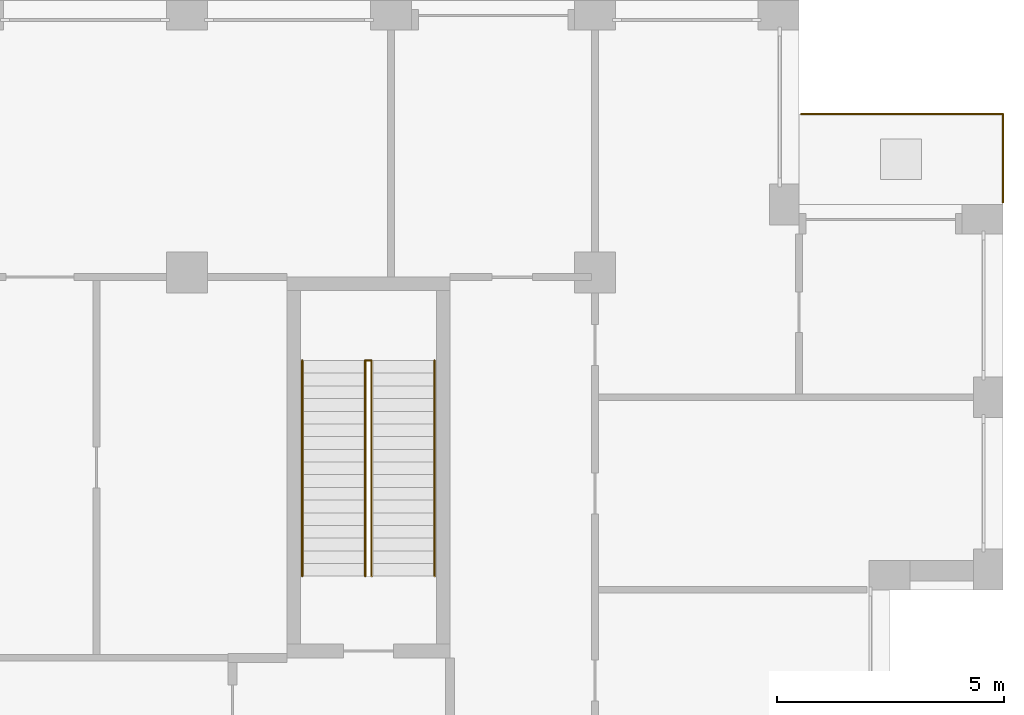
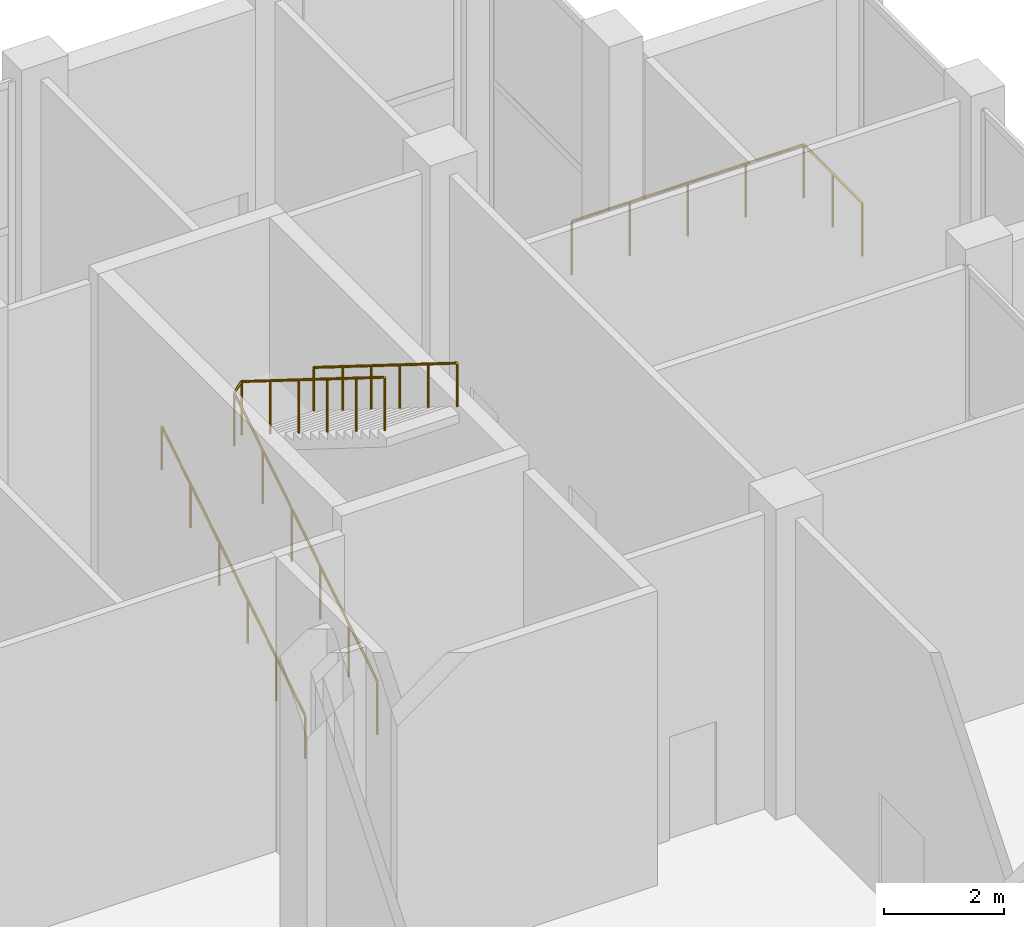
# One storey, part 18 of 18: 4 railings.
"""IFC4 building model written with IfcOpenShell, lengths in metres."""

from ifc_helpers import new_model, si_unit, direction, frame, origin, origin_2d, place, context, subcontext, project, spatial, circle, extrude, material, type_object, element, save


model = new_model("IFC4")

# Units and contexts
model_context = context("Model", 3, precision=1e-05, world=origin(), true_north=direction((0.0, 1.0)))
body_context = subcontext(model_context, "Body", "Model", "MODEL_VIEW")
ifc_project = project(units=[si_unit("LENGTHUNIT", "METRE"), si_unit("AREAUNIT", "SQUARE_METRE"), si_unit("VOLUMEUNIT", "CUBIC_METRE"), si_unit("PLANEANGLEUNIT", "RADIAN"), si_unit("MASSUNIT", "GRAM", prefix="KILO")], contexts=[model_context])

# Site, building, storey
site_placement = place(None, origin())
site = spatial("IfcSite", under=ifc_project, at=site_placement, CompositionType="ELEMENT")
building_placement = place(site_placement, origin())
building = spatial("IfcBuilding", under=site, at=building_placement, Name="Brigalow Station Residences", CompositionType="ELEMENT")
storey_placement = place(building_placement, frame((0.0, 0.0, 191.699951171875)))
storey = spatial("IfcBuildingStorey", under=building, at=storey_placement, Name="L55", CompositionType="ELEMENT", Elevation=191.699951171875)

# Railings
ifc_material_1 = material(Name="Stainless steel balustrade with laminated glass infill", Category="steel")
railing_type_1 = type_object("IfcRailingType", Name="BALCONY GUARD 1100", PredefinedType="GUARDRAIL", material=ifc_material_1)
railing_1_placement = place(storey_placement, frame((72.0, 37.050048828125, -0.0400390625)))
element("IfcRailing", 1, at=railing_1_placement, inside=storey, type_object=railing_type_1, Name="L55/terrace-guard/3-1", PredefinedType="GUARDRAIL", context=body_context, shape_type="SweptSolid", body=[
    extrude(circle(Radius=0.02392578125, at=origin_2d()), frame((0.0, 0.0, 1.076171875), z_axis=(0.0, 1.0, 0.0), x_axis=(-1.0, 0.0, 0.0)), (0.0, 0.0, 1.0), 1.949951171875),
    extrude(circle(Radius=0.02392578125, at=origin_2d()), frame((0.0, 1.949951171875, 1.076171875), z_axis=(-1.0, 0.0, 0.0), x_axis=(0.0, -1.0, 0.0)), (0.0, 0.0, 1.0), 4.449951171875),
    extrude(circle(Radius=0.02099609375, at=origin_2d()), origin(), (0.0, 0.0, 1.0), 1.052001953125),
    extrude(circle(Radius=0.02099609375, at=origin_2d()), frame((0.0, 0.97509765625, 0.0)), (0.0, 0.0, 1.0), 1.052001953125),
    extrude(circle(Radius=0.02099609375, at=origin_2d()), frame((0.0, 1.949951171875, 0.0)), (0.0, 0.0, 1.0), 1.052001953125),
    extrude(circle(Radius=0.02099609375, at=origin_2d()), frame((-1.112548828125, 1.949951171875, 0.0)), (0.0, 0.0, 1.0), 1.052001953125),
    extrude(circle(Radius=0.02099609375, at=origin_2d()), frame((-2.22509765625, 1.949951171875, 0.0)), (0.0, 0.0, 1.0), 1.052001953125),
    extrude(circle(Radius=0.02099609375, at=origin_2d()), frame((-3.33740234375, 1.949951171875, 0.0)), (0.0, 0.0, 1.0), 1.052001953125),
    extrude(circle(Radius=0.02099609375, at=origin_2d()), frame((-4.449951171875, 1.949951171875, 0.0)), (0.0, 0.0, 1.0), 1.052001953125),
])
ifc_material_2 = material(Name="Stainless steel balustrade", Category="steel")
railing_type_2 = type_object("IfcRailingType", Name="STAIR GUARD 1100", PredefinedType="GUARDRAIL", material=ifc_material_2)
railing_2_placement = place(storey_placement, frame((57.929931640625, 28.800048828125, 0.175048828125)))
element("IfcRailing", 2, at=railing_2_placement, inside=storey, type_object=railing_type_2, Name="GUARD GR-3", PredefinedType="GUARDRAIL", context=body_context, shape_type="SweptSolid", body=[
    extrude(circle(Radius=0.02392578125, at=origin_2d()), frame((0.0, 0.0, 1.076171875), z_axis=(0.0, 0.847990973574, 0.530010668512), x_axis=(-1.0, 0.0, 0.0)), (0.0, 0.0, 1.0), 5.61328125),
    extrude(circle(Radius=0.02392578125, at=origin_2d()), frame((0.0, 4.760009765625, 4.05126953125), z_axis=(0.62549206879, 0.0, 0.780230524833), x_axis=(0.0, 1.0, 0.0)), (0.0, 0.0, 1.0), 0.22412109375),
    extrude(circle(Radius=0.02392578125, at=origin_2d()), frame((0.14013671875, 4.760009765625, 4.22607421875), z_axis=(0.0, -0.847990973574, 0.530010668512), x_axis=(1.0, 0.0, 0.0)), (0.0, 0.0, 1.0), 5.61328125),
    extrude(circle(Radius=0.02099609375, at=origin_2d()), origin(), (0.0, 0.0, 1.0), 1.052001953125),
    extrude(circle(Radius=0.02099609375, at=origin_2d()), frame((0.0, 0.951904296875, 0.594970703125)), (0.0, 0.0, 1.0), 1.052001953125),
    extrude(circle(Radius=0.02099609375, at=origin_2d()), frame((0.0, 1.904052734375, 1.18994140625)), (0.0, 0.0, 1.0), 1.052001953125),
    extrude(circle(Radius=0.02099609375, at=origin_2d()), frame((0.0, 2.85595703125, 1.78515625)), (0.0, 0.0, 1.0), 1.052001953125),
    extrude(circle(Radius=0.02099609375, at=origin_2d()), frame((0.0, 3.80810546875, 2.380126953125)), (0.0, 0.0, 1.0), 1.052001953125),
    extrude(circle(Radius=0.02099609375, at=origin_2d()), frame((0.0, 4.760009765625, 2.97509765625)), (0.0, 0.0, 1.0), 1.052001953125),
    extrude(circle(Radius=0.02099609375, at=origin_2d()), frame((0.14013671875, 4.760009765625, 3.14990234375)), (0.0, 0.0, 1.0), 1.052001953125),
    extrude(circle(Radius=0.02099609375, at=origin_2d()), frame((0.14013671875, 3.80810546875, 3.744873046875)), (0.0, 0.0, 1.0), 1.052001953125),
    extrude(circle(Radius=0.02099609375, at=origin_2d()), frame((0.14013671875, 2.85595703125, 4.33984375)), (0.0, 0.0, 1.0), 1.052001953125),
    extrude(circle(Radius=0.02099609375, at=origin_2d()), frame((0.14013671875, 1.904052734375, 4.93505859375)), (0.0, 0.0, 1.0), 1.052001953125),
    extrude(circle(Radius=0.02099609375, at=origin_2d()), frame((0.14013671875, 0.951904296875, 5.530029296875)), (0.0, 0.0, 1.0), 1.052001953125),
    extrude(circle(Radius=0.02099609375, at=origin_2d()), frame((0.14013671875, 0.0, 6.125)), (0.0, 0.0, 1.0), 1.052001953125),
])
ifc_material_3 = material(Name="Stainless steel handrail", Category="steel")
railing_type_3 = type_object("IfcRailingType", Name="STAIR HANDRAIL 900", PredefinedType="HANDRAIL", material=ifc_material_3)
railing_3_placement = place(storey_placement, frame((56.5400390625, 28.800048828125, 0.175048828125)))
element("IfcRailing", 3, at=railing_3_placement, inside=storey, type_object=railing_type_3, Name="HANDRAIL HR-31", PredefinedType="HANDRAIL", context=body_context, shape_type="SweptSolid", body=[
    extrude(circle(Radius=0.02392578125, at=origin_2d()), frame((0.0, 0.0, 0.8759765625), z_axis=(0.0, 0.847990973574, 0.530010668512), x_axis=(-1.0, 0.0, 0.0)), (0.0, 0.0, 1.0), 5.61328125),
    extrude(circle(Radius=0.02099609375, at=origin_2d()), origin(), (0.0, 0.0, 1.0), 0.851806640625),
    extrude(circle(Radius=0.02099609375, at=origin_2d()), frame((0.0, 0.951904296875, 0.594970703125)), (0.0, 0.0, 1.0), 0.851806640625),
    extrude(circle(Radius=0.02099609375, at=origin_2d()), frame((0.0, 1.904052734375, 1.18994140625)), (0.0, 0.0, 1.0), 0.851806640625),
    extrude(circle(Radius=0.02099609375, at=origin_2d()), frame((0.0, 2.85595703125, 1.78515625)), (0.0, 0.0, 1.0), 0.851806640625),
    extrude(circle(Radius=0.02099609375, at=origin_2d()), frame((0.0, 3.80810546875, 2.380126953125)), (0.0, 0.0, 1.0), 0.851806640625),
    extrude(circle(Radius=0.02099609375, at=origin_2d()), frame((0.0, 4.760009765625, 2.97509765625)), (0.0, 0.0, 1.0), 0.851806640625),
])
railing_4_placement = place(storey_placement, frame((59.4599609375, 33.56005859375, 3.324951171875)))
element("IfcRailing", 4, at=railing_4_placement, inside=storey, type_object=railing_type_3, Name="HANDRAIL HR-32", PredefinedType="HANDRAIL", context=body_context, shape_type="SweptSolid", body=[
    extrude(circle(Radius=0.02392578125, at=origin_2d()), frame((0.0, 0.0, 0.8759765625), z_axis=(0.0, -0.847990973574, 0.530010668512), x_axis=(1.0, 0.0, 0.0)), (0.0, 0.0, 1.0), 5.61328125),
    extrude(circle(Radius=0.02099609375, at=origin_2d()), origin(), (0.0, 0.0, 1.0), 0.851806640625),
    extrude(circle(Radius=0.02099609375, at=origin_2d()), frame((0.0, -0.951904296875, 0.594970703125)), (0.0, 0.0, 1.0), 0.851806640625),
    extrude(circle(Radius=0.02099609375, at=origin_2d()), frame((0.0, -1.904052734375, 1.18994140625)), (0.0, 0.0, 1.0), 0.851806640625),
    extrude(circle(Radius=0.02099609375, at=origin_2d()), frame((0.0, -2.85595703125, 1.78515625)), (0.0, 0.0, 1.0), 0.851806640625),
    extrude(circle(Radius=0.02099609375, at=origin_2d()), frame((0.0, -3.80810546875, 2.380126953125)), (0.0, 0.0, 1.0), 0.851806640625),
    extrude(circle(Radius=0.02099609375, at=origin_2d()), frame((0.0, -4.760009765625, 2.97509765625)), (0.0, 0.0, 1.0), 0.851806640625),
])

save(model, "model.ifc")
